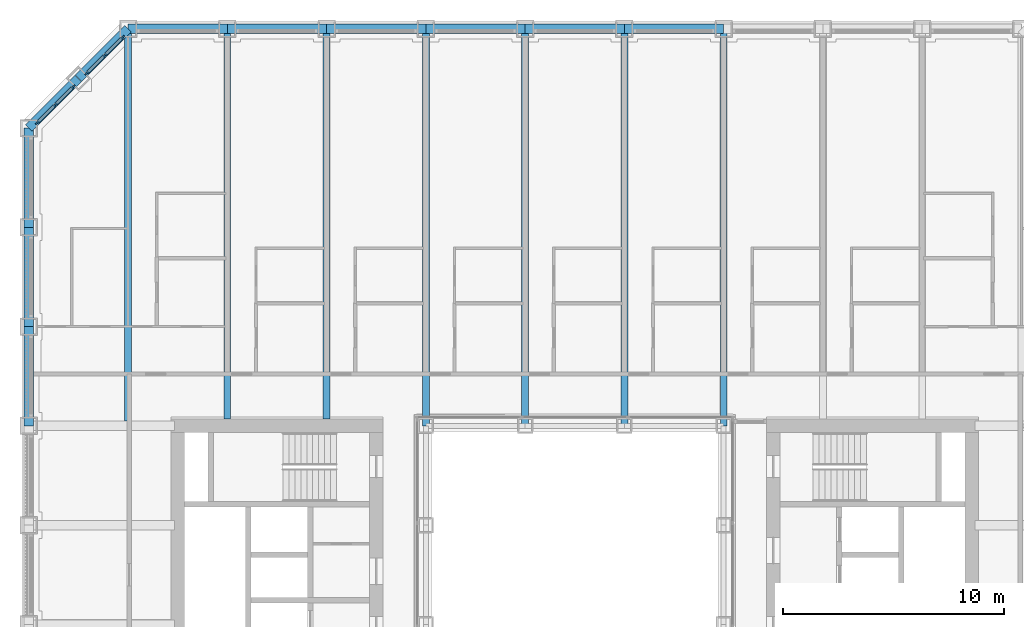
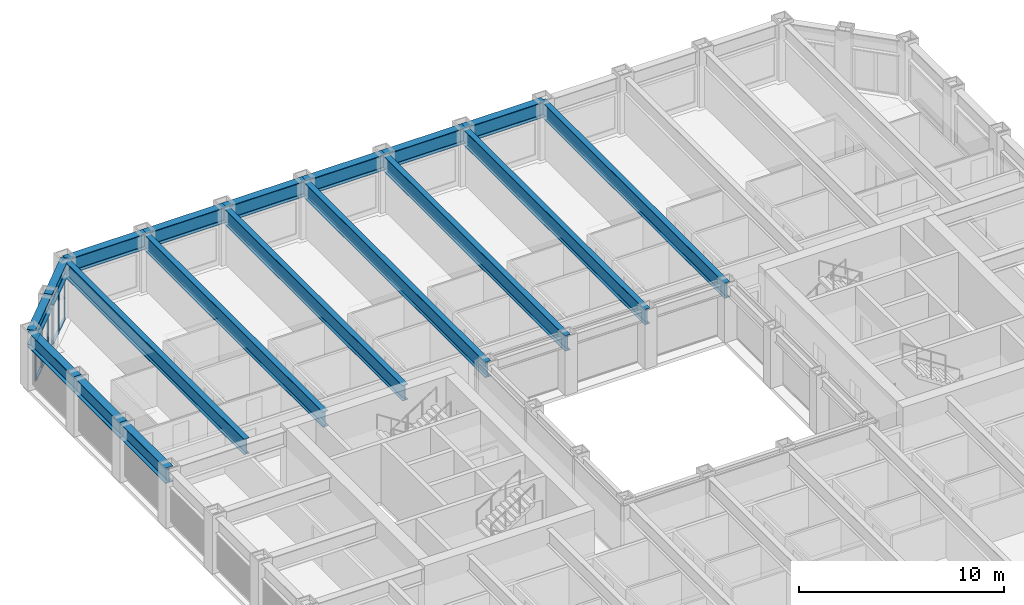
# One storey, part 6 of 21: 18 beams, 14 members, 2 elements without a shape of their own.
"""IFC4 building model written with IfcOpenShell, lengths in metres."""

import ifcopenshell
import ifcopenshell.guid

model = None  # the IFC model being written
_history = None  # IfcOwnerHistory: only IFC2X3 demands one
_inside = {}  # id of a spatial element -> (the spatial element, [elements in it])
_under = {}  # id of a project, library or spatial element -> (it, [spatial elements below it])
_declared = {}  # id of a project -> (the project, [libraries it declares])
_typed = {}  # id of a type object -> (the type object, [elements of that type])
_made_of = {}  # id of a material, layer set ... -> (it, [elements and type objects made of it])


def new_model(schema):
    """Start an empty IFC model of exactly this schema.

    Asked for "IFC4X3", IfcOpenShell would pick the latest addendum, in which some entities
    have other attributes; the version numbers below select the first issue.
    IFC2X3 requires an IfcOwnerHistory on every rooted entity: one is made here for all.
    """
    global model, _history
    if schema == "IFC4X3":
        model = ifcopenshell.file(schema_version=(4, 3, 0, 0))
    else:
        model = ifcopenshell.file(schema=schema)
    _inside.clear()
    _under.clear()
    _declared.clear()
    _typed.clear()
    _made_of.clear()
    _history = None
    if model.schema == "IFC2X3":
        org = make("IfcOrganization", Name="unknown")
        user = make(
            "IfcPersonAndOrganization",
            ThePerson=make("IfcPerson", FamilyName="unknown"),
            TheOrganization=org,
        )
        app = make(
            "IfcApplication",
            ApplicationDeveloper=org,
            Version="unknown",
            ApplicationFullName="unknown",
            ApplicationIdentifier="unknown",
        )
        _history = make(
            "IfcOwnerHistory",
            OwningUser=user,
            OwningApplication=app,
            ChangeAction="ADDED",
            CreationDate=0,
        )
    return model


def make(cls, **values):
    """One entity of the class cls with the attributes given. An attribute that is None is left unset."""
    return model.create_entity(
        cls, **{name: value for name, value in values.items() if value is not None}
    )


def rooted(cls, **values):
    """An entity with a GlobalId (a new one), such as an element, a storey or a relation."""
    return make(cls, GlobalId=ifcopenshell.guid.new(), OwnerHistory=_history, **values)


def si_unit(unit_type, name, prefix=None):
    """IfcSIUnit, for example si_unit("LENGTHUNIT", "METRE", prefix="MILLI")."""
    return make("IfcSIUnit", UnitType=unit_type, Prefix=prefix, Name=name)


def assignment(units):
    """IfcUnitAssignment: the units of a project."""
    return None if units is None else make("IfcUnitAssignment", Units=units)


def point(xyz):
    """IfcCartesianPoint."""
    return None if xyz is None else make("IfcCartesianPoint", Coordinates=xyz)


def direction(xyz):
    """IfcDirection."""
    return None if xyz is None else make("IfcDirection", DirectionRatios=xyz)


def frame(location, z_axis=None, x_axis=None):
    """IfcAxis2Placement3D, a coordinate frame: its origin and axes. An axis left out is left unset."""
    return make(
        "IfcAxis2Placement3D",
        Location=point(location),
        Axis=direction(z_axis),
        RefDirection=direction(x_axis),
    )


def frame_2d(location, x_axis=None):
    """IfcAxis2Placement2D, a coordinate frame in the plane: its origin and x axis."""
    return make(
        "IfcAxis2Placement2D", Location=point(location), RefDirection=direction(x_axis)
    )


def origin():
    """The frame at (0, 0, 0) with its axes left unset."""
    return frame((0.0, 0.0, 0.0))


def origin_2d():
    """The frame at (0, 0) in the plane with its x axis left unset."""
    return frame_2d((0.0, 0.0))


def place(relative_to, where):
    """IfcLocalPlacement: puts the frame where relative to a parent placement (None: the world)."""
    return make(
        "IfcLocalPlacement", PlacementRelTo=relative_to, RelativePlacement=where
    )


def context(
    kind, dimensions, precision=None, world=None, true_north=None, identifier=None
):
    """IfcGeometricRepresentationContext, for example the 3D "Model" context."""
    return make(
        "IfcGeometricRepresentationContext",
        ContextIdentifier=identifier,
        ContextType=kind,
        CoordinateSpaceDimension=dimensions,
        Precision=precision,
        WorldCoordinateSystem=world,
        TrueNorth=true_north,
    )


def subcontext(parent, identifier, kind, view, scale=None):
    """IfcGeometricRepresentationSubContext, for example "Body" below "Model"."""
    return make(
        "IfcGeometricRepresentationSubContext",
        ContextIdentifier=identifier,
        ContextType=kind,
        ParentContext=parent,
        TargetScale=scale,
        TargetView=view,
    )


def project(units=None, contexts=None):
    """IfcProject with its units and contexts."""
    return rooted(
        "IfcProject",
        Name="project",
        RepresentationContexts=contexts,
        UnitsInContext=assignment(units),
    )


def spatial(cls, under=None, at=None, **own):
    """A site, building, storey or space (cls), placed at a placement, below another one or the project."""
    s = rooted(cls, ObjectPlacement=at, **own)
    if under is not None:
        _under.setdefault(under.id(), (under, []))[1].append(s)
    return s


def profile(cls, at=None, kind="AREA", **sizes):
    """A parametric profile (cls). Its sizes go by their IFC names, for example OverallWidth=200.0."""
    return make(cls, ProfileType=kind, Position=at, **sizes)


def rectangle(**sizes):
    """IfcRectangleProfileDef."""
    return profile("IfcRectangleProfileDef", **sizes)


def i_section(**sizes):
    """IfcIShapeProfileDef."""
    return profile("IfcIShapeProfileDef", **sizes)


def extrude(swept, where, along, depth):
    """IfcExtrudedAreaSolid: the profile swept, set in the frame where, extruded along a direction by depth."""
    return make(
        "IfcExtrudedAreaSolid",
        SweptArea=swept,
        Position=where,
        ExtrudedDirection=direction(along),
        Depth=depth,
    )


def shape(context_of_items, identifier, shape_type, items):
    """IfcShapeRepresentation: the items that make up one representation, for example the "Body"."""
    return make(
        "IfcShapeRepresentation",
        ContextOfItems=context_of_items,
        RepresentationIdentifier=identifier,
        RepresentationType=shape_type,
        Items=items,
    )


def material(Name=None, Category=None):
    """IfcMaterial."""
    return make("IfcMaterial", Name=Name, Category=Category)


def material_profile(
    of_material, cross_section, Name=None, Category=None, Priority=None
):
    """IfcMaterialProfile: a cross section and its material."""
    return make(
        "IfcMaterialProfile",
        Name=Name,
        Material=of_material,
        Profile=cross_section,
        Priority=Priority,
        Category=Category,
    )


def profile_set(profiles, Name=None, composite=None):
    """IfcMaterialProfileSet."""
    return make(
        "IfcMaterialProfileSet",
        Name=Name,
        MaterialProfiles=profiles,
        CompositeProfile=composite,
    )


def made_of(thing, what):
    """Note that an element or type object is made of a material, layer set ...; save() writes the relation."""
    if what is not None:
        _made_of.setdefault(what.id(), (what, []))[1].append(thing)
    return thing


def type_object(cls, material=None, **own):
    """A type object (cls), such as IfcWallType, which elements share."""
    return made_of(rooted(cls, **own), material)


def element(
    cls,
    number,
    at=None,
    inside=None,
    cuts=None,
    type_object=None,
    material=None,
    context=None,
    identifier="Body",
    shape_type=None,
    held_by="IfcProductDefinitionShape",
    body=None,
    shapes=None,
    **own,
):
    """One element of the class cls, such as IfcWall. Its Tag is "e" and its number.

    at: its placement. inside: the storey or other place that contains it. cuts: it is an
    opening in that element (IfcRelVoidsElement). A single representation is given by context,
    identifier, shape_type and body (its items); several are given by shapes. held_by: the class
    of the entity that holds the representations. save() writes the other relations.
    """
    e = rooted(cls, Tag="e%d" % number, ObjectPlacement=at, **own)
    if body is not None:
        shapes = [shape(context, identifier, shape_type, body)]
    if shapes is not None:
        e.Representation = make(held_by, Representations=shapes)
    if inside is not None:
        _inside.setdefault(inside.id(), (inside, []))[1].append(e)
    if cuts is not None:
        rooted(
            "IfcRelVoidsElement", RelatingBuildingElement=cuts, RelatedOpeningElement=e
        )
    if type_object is not None:
        _typed.setdefault(type_object.id(), (type_object, []))[1].append(e)
    return made_of(e, material)


def aggregate(whole, parts):
    """IfcRelAggregates: a whole, such as a stair, and the parts it consists of."""
    return rooted("IfcRelAggregates", RelatingObject=whole, RelatedObjects=parts)


def save(model, path):
    """Write the relations noted so far, then the file.

    IfcRelAggregates (storeys below a building ...), IfcRelContainedInSpatialStructure (elements
    in a storey), IfcRelDefinesByType, IfcRelAssociatesMaterial and IfcRelDeclares: one each for
    every whole, place, type object, material and project.
    """
    for whole, parts in _under.values():
        aggregate(whole, parts)
    for where, things in _inside.values():
        rooted(
            "IfcRelContainedInSpatialStructure",
            RelatedElements=things,
            RelatingStructure=where,
        )
    for kind, things in _typed.values():
        rooted("IfcRelDefinesByType", RelatedObjects=things, RelatingType=kind)
    for what, things in _made_of.values():
        rooted("IfcRelAssociatesMaterial", RelatedObjects=things, RelatingMaterial=what)
    for by, libraries in _declared.values():
        rooted("IfcRelDeclares", RelatingContext=by, RelatedDefinitions=libraries)
    model.write(path)


model = new_model("IFC4")

# Units and contexts
model_context = context("Model", 3, precision=1e-05, world=origin(), true_north=direction((0.0, 1.0)))
body_context = subcontext(model_context, "Body", "Model", "MODEL_VIEW")
ifc_project = project(units=[si_unit("LENGTHUNIT", "METRE"), si_unit("AREAUNIT", "SQUARE_METRE"), si_unit("VOLUMEUNIT", "CUBIC_METRE"), si_unit("PLANEANGLEUNIT", "RADIAN"), si_unit("MASSUNIT", "GRAM", prefix="KILO")], contexts=[model_context])

# Site, building, storey
site_placement = place(None, origin())
site = spatial("IfcSite", under=ifc_project, at=site_placement, CompositionType="ELEMENT")
building_placement = place(site_placement, origin())
building = spatial("IfcBuilding", under=site, at=building_placement, Name="Msasa Ring Tower", CompositionType="ELEMENT")
storey_placement = place(building_placement, frame((0.0, 0.0, 33.5)))
storey = spatial("IfcBuildingStorey", under=building, at=storey_placement, Name="L07", CompositionType="ELEMENT", Elevation=33.5)

# Curtain wall, members
ifc_material_1 = material(Name="Aluminium curtain wall with clear glass", Category="aluminium")
curtain_wall_type = type_object("IfcCurtainWallType", Name="CW-C CHAMFER CORNER CURTAIN WALL", PredefinedType="NOTDEFINED", material=ifc_material_1)
curtain_wall_1_placement = place(storey_placement, origin())
curtain_wall_1 = element("IfcCurtainWall", 1, at=curtain_wall_1_placement, inside=storey, type_object=curtain_wall_type, Name="Chamfer corner curtain wall NW L07", PredefinedType="NOTDEFINED")
ifc_material_2 = material(Name="Aluminium mullion", Category="aluminium")
ifc_material_profile_1 = material_profile(ifc_material_2, rectangle(XDim=0.06494140625, YDim=0.179931640625, at=origin_2d()), Name="AL 65x180")
ifc_profile_set_1 = profile_set([ifc_material_profile_1], Name="Aluminium mullion")
member_type_1 = type_object("IfcMemberType", Name="CW-C MULLION 65x180", PredefinedType="MULLION", material=ifc_profile_set_1)
member_1_placement = place(storey_placement, frame((-22.73876953125, 22.119873046875, 0.0), z_axis=(0.0, 0.0, 1.0), x_axis=(0.707106781187, -0.707106781187, 0.0)))
member_1 = element("IfcMember", 2, at=member_1_placement, type_object=member_type_1, Name="CW-C mullion 1", PredefinedType="MULLION", context=body_context, shape_type="SweptSolid", body=[
    extrude(rectangle(XDim=0.06494140625, YDim=0.179931640625, at=origin_2d()), origin(), (0.0, 0.0, 1.0), 2.37890625),
])
member_2_placement = place(storey_placement, frame((-23.55419921875, 21.30419921875, 0.0), z_axis=(0.0, 0.0, 1.0), x_axis=(0.707106781187, -0.707106781187, 0.0)))
member_2 = element("IfcMember", 3, at=member_2_placement, type_object=member_type_1, Name="CW-C mullion 2", PredefinedType="MULLION", context=body_context, shape_type="SweptSolid", body=[
    extrude(rectangle(XDim=0.06494140625, YDim=0.179931640625, at=origin_2d()), origin(), (0.0, 0.0, 1.0), 2.37890625),
])
member_3_placement = place(storey_placement, frame((-24.369873046875, 20.48876953125, 0.0), z_axis=(0.0, 0.0, 1.0), x_axis=(0.707106781187, -0.707106781187, 0.0)))
member_3 = element("IfcMember", 4, at=member_3_placement, type_object=member_type_1, Name="CW-C mullion 3", PredefinedType="MULLION", context=body_context, shape_type="SweptSolid", body=[
    extrude(rectangle(XDim=0.06494140625, YDim=0.179931640625, at=origin_2d()), origin(), (0.0, 0.0, 1.0), 2.37890625),
])

curtain_wall_2_placement = place(storey_placement, origin())
curtain_wall_2 = element("IfcCurtainWall", 5, at=curtain_wall_2_placement, inside=storey, type_object=curtain_wall_type, Name="Chamfer corner curtain wall NW L07", PredefinedType="NOTDEFINED")
member_4_placement = place(storey_placement, frame((-20.48876953125, 24.369873046875, 0.0), z_axis=(0.0, 0.0, 1.0), x_axis=(0.707106781187, -0.707106781187, 0.0)))
member_4 = element("IfcMember", 6, at=member_4_placement, type_object=member_type_1, Name="CW-C mullion 1", PredefinedType="MULLION", context=body_context, shape_type="SweptSolid", body=[
    extrude(rectangle(XDim=0.06494140625, YDim=0.179931640625, at=origin_2d()), origin(), (0.0, 0.0, 1.0), 2.37890625),
])
member_5_placement = place(storey_placement, frame((-21.30419921875, 23.55419921875, 0.0), z_axis=(0.0, 0.0, 1.0), x_axis=(0.707106781187, -0.707106781187, 0.0)))
member_5 = element("IfcMember", 7, at=member_5_placement, type_object=member_type_1, Name="CW-C mullion 2", PredefinedType="MULLION", context=body_context, shape_type="SweptSolid", body=[
    extrude(rectangle(XDim=0.06494140625, YDim=0.179931640625, at=origin_2d()), origin(), (0.0, 0.0, 1.0), 2.37890625),
])
member_6_placement = place(storey_placement, frame((-22.119873046875, 22.73876953125, 0.0), z_axis=(0.0, 0.0, 1.0), x_axis=(0.707106781187, -0.707106781187, 0.0)))
member_6 = element("IfcMember", 8, at=member_6_placement, type_object=member_type_1, Name="CW-C mullion 3", PredefinedType="MULLION", context=body_context, shape_type="SweptSolid", body=[
    extrude(rectangle(XDim=0.06494140625, YDim=0.179931640625, at=origin_2d()), origin(), (0.0, 0.0, 1.0), 2.37890625),
])

# Member
ifc_material_3 = material(Name="Aluminium transom", Category="aluminium")
ifc_material_profile_2 = material_profile(ifc_material_3, rectangle(XDim=0.139892578125, YDim=0.06494140625, at=origin_2d()), Name="AL 65x140")
ifc_profile_set_2 = profile_set([ifc_material_profile_2], Name="Aluminium transom")
member_type_2 = type_object("IfcMemberType", Name="CW-C TRANSOM 65x140", PredefinedType="USERDEFINED", material=ifc_profile_set_2)
member_7_placement = place(storey_placement, frame((-22.76171875, 22.096923828125, 0.032470703125), z_axis=(-0.707106781187, -0.707106781187, 0.0), x_axis=(0.707106781187, -0.707106781187, 0.0)))
member_7 = element("IfcMember", 9, at=member_7_placement, type_object=member_type_2, Name="CW-C transom 1.1", ObjectType="TRANSOM", PredefinedType="USERDEFINED", context=body_context, shape_type="SweptSolid", body=[
    extrude(rectangle(XDim=0.139892578125, YDim=0.06494140625, at=origin_2d()), origin(), (0.0, 0.0, 1.0), 1.08837890625),
])

member_8_placement = place(storey_placement, frame((-22.76171875, 22.096923828125, 2.346435546875), z_axis=(-0.707106781187, -0.707106781187, 0.0), x_axis=(0.707106781187, -0.707106781187, 0.0)))
member_8 = element("IfcMember", 10, at=member_8_placement, type_object=member_type_2, Name="CW-C transom 1.2", ObjectType="TRANSOM", PredefinedType="USERDEFINED", context=body_context, shape_type="SweptSolid", body=[
    extrude(rectangle(XDim=0.139892578125, YDim=0.06494140625, at=origin_2d()), origin(), (0.0, 0.0, 1.0), 1.08837890625),
])

member_9_placement = place(storey_placement, frame((-23.577392578125, 21.28125, 0.032470703125), z_axis=(-0.707106781187, -0.707106781187, 0.0), x_axis=(0.707106781187, -0.707106781187, 0.0)))
member_9 = element("IfcMember", 11, at=member_9_placement, type_object=member_type_2, Name="CW-C transom 2.1", ObjectType="TRANSOM", PredefinedType="USERDEFINED", context=body_context, shape_type="SweptSolid", body=[
    extrude(rectangle(XDim=0.139892578125, YDim=0.06494140625, at=origin_2d()), origin(), (0.0, 0.0, 1.0), 1.08837890625),
])

member_10_placement = place(storey_placement, frame((-23.577392578125, 21.28125, 2.346435546875), z_axis=(-0.707106781187, -0.707106781187, 0.0), x_axis=(0.707106781187, -0.707106781187, 0.0)))
member_10 = element("IfcMember", 12, at=member_10_placement, type_object=member_type_2, Name="CW-C transom 2.2", ObjectType="TRANSOM", PredefinedType="USERDEFINED", context=body_context, shape_type="SweptSolid", body=[
    extrude(rectangle(XDim=0.139892578125, YDim=0.06494140625, at=origin_2d()), origin(), (0.0, 0.0, 1.0), 1.08837890625),
])

aggregate(curtain_wall_1, [member_1, member_2, member_3, member_7, member_8, member_9, member_10])

member_11_placement = place(storey_placement, frame((-20.51171875, 24.346923828125, 0.032470703125), z_axis=(-0.707106781187, -0.707106781187, 0.0), x_axis=(0.707106781187, -0.707106781187, 0.0)))
member_11 = element("IfcMember", 13, at=member_11_placement, type_object=member_type_2, Name="CW-C transom 1.1", ObjectType="TRANSOM", PredefinedType="USERDEFINED", context=body_context, shape_type="SweptSolid", body=[
    extrude(rectangle(XDim=0.139892578125, YDim=0.06494140625, at=origin_2d()), origin(), (0.0, 0.0, 1.0), 1.08837890625),
])

member_12_placement = place(storey_placement, frame((-20.51171875, 24.346923828125, 2.346435546875), z_axis=(-0.707106781187, -0.707106781187, 0.0), x_axis=(0.707106781187, -0.707106781187, 0.0)))
member_12 = element("IfcMember", 14, at=member_12_placement, type_object=member_type_2, Name="CW-C transom 1.2", ObjectType="TRANSOM", PredefinedType="USERDEFINED", context=body_context, shape_type="SweptSolid", body=[
    extrude(rectangle(XDim=0.139892578125, YDim=0.06494140625, at=origin_2d()), origin(), (0.0, 0.0, 1.0), 1.08837890625),
])

member_13_placement = place(storey_placement, frame((-21.327392578125, 23.53125, 0.032470703125), z_axis=(-0.707106781187, -0.707106781187, 0.0), x_axis=(0.707106781187, -0.707106781187, 0.0)))
member_13 = element("IfcMember", 15, at=member_13_placement, type_object=member_type_2, Name="CW-C transom 2.1", ObjectType="TRANSOM", PredefinedType="USERDEFINED", context=body_context, shape_type="SweptSolid", body=[
    extrude(rectangle(XDim=0.139892578125, YDim=0.06494140625, at=origin_2d()), origin(), (0.0, 0.0, 1.0), 1.08837890625),
])

member_14_placement = place(storey_placement, frame((-21.327392578125, 23.53125, 2.346435546875), z_axis=(-0.707106781187, -0.707106781187, 0.0), x_axis=(0.707106781187, -0.707106781187, 0.0)))
member_14 = element("IfcMember", 16, at=member_14_placement, type_object=member_type_2, Name="CW-C transom 2.2", ObjectType="TRANSOM", PredefinedType="USERDEFINED", context=body_context, shape_type="SweptSolid", body=[
    extrude(rectangle(XDim=0.139892578125, YDim=0.06494140625, at=origin_2d()), origin(), (0.0, 0.0, 1.0), 1.08837890625),
])

aggregate(curtain_wall_2, [member_4, member_5, member_6, member_11, member_12, member_13, member_14])

# Beams
ifc_material_4 = material(Name="Steel S355", Category="steel")
ifc_material_profile_3 = material_profile(ifc_material_4, i_section(OverallWidth=0.3076171875, OverallDepth=0.926513671875, WebThickness=0.01953125, FlangeThickness=0.031982421875, FilletRadius=0.01904296875, at=origin_2d()), Name="UB 914x305x289")
ifc_profile_set_3 = profile_set([ifc_material_profile_3], Name="Steel S355")
beam_type_1 = type_object("IfcBeamType", Name="FB3 UB 914x305x289", PredefinedType="BEAM", material=ifc_profile_set_3)
beam_placement = place(storey_placement, frame((-20.25, 24.75, 2.836669921875), z_axis=(0.0, -1.0, 0.0), x_axis=(1.0, 0.0, 0.0)))
element("IfcBeam", 17, at=beam_placement, inside=storey, type_object=beam_type_1, Name="Floor beam N-20.25 under L08", PredefinedType="BEAM", context=body_context, shape_type="SweptSolid", body=[
    extrude(i_section(OverallWidth=0.3076171875, OverallDepth=0.926513671875, WebThickness=0.01953125, FlangeThickness=0.031982421875, FilletRadius=0.01904296875, at=origin_2d()), origin(), (0.0, 0.0, 1.0), 17.789794921875),
])
for number, where, z_axis, x_axis, name in (
    (18, (-15.75, 24.75, 2.836669921875), (0.0, -1.0, 0.0), (1.0, 0.0, 0.0), "Floor beam N-15.75 under L08"),
    (19, (-11.25, 24.75, 2.836669921875), (0.0, -1.0, 0.0), (1.0, 0.0, 0.0), "Floor beam N-11.25 under L08"),
):
    element("IfcBeam", number, at=place(storey_placement, frame(where, z_axis=z_axis, x_axis=x_axis)), inside=storey, type_object=beam_type_1, Name=name, PredefinedType="BEAM", context=body_context, shape_type="SweptSolid", body=[
        extrude(i_section(OverallWidth=0.3076171875, OverallDepth=0.926513671875, WebThickness=0.01953125, FlangeThickness=0.031982421875, FilletRadius=0.01904296875, at=origin_2d()), origin(), (0.0, 0.0, 1.0), 17.699951171875),
    ])
for number, where, z_axis, x_axis, name in (
    (20, (-6.75, 24.75, 2.836669921875), (0.0, -1.0, 0.0), (1.0, 0.0, 0.0), "Floor beam N-6.75 under L08"),
    (21, (-2.25, 24.75, 2.836669921875), (0.0, -1.0, 0.0), (1.0, 0.0, 0.0), "Floor beam N-2.25 under L08"),
    (22, (2.25, 24.75, 2.836669921875), (0.0, -1.0, 0.0), (1.0, 0.0, 0.0), "Floor beam N+2.25 under L08"),
    (23, (6.75, 24.75, 2.836669921875), (0.0, -1.0, 0.0), (1.0, 0.0, 0.0), "Floor beam N+6.75 under L08"),
):
    element("IfcBeam", number, at=place(storey_placement, frame(where, z_axis=z_axis, x_axis=x_axis)), inside=storey, type_object=beam_type_1, Name=name, PredefinedType="BEAM", context=body_context, shape_type="SweptSolid", body=[
        extrude(i_section(OverallWidth=0.3076171875, OverallDepth=0.926513671875, WebThickness=0.01953125, FlangeThickness=0.031982421875, FilletRadius=0.01904296875, at=origin_2d()), origin(), (0.0, 0.0, 1.0), 18.0),
    ])
ifc_material_5 = material(Name="Steel S355", Category="steel")
ifc_material_profile_4 = material_profile(ifc_material_5, i_section(OverallWidth=0.42041015625, OverallDepth=0.9208984375, WebThickness=0.021484375, FlangeThickness=0.03662109375, FilletRadius=0.024169921875, at=origin_2d()), Name="UB 914x419x388")
ifc_profile_set_4 = profile_set([ifc_material_profile_4], Name="Steel S355")
beam_type_2 = type_object("IfcBeamType", Name="SB1 UB 914x419x388", PredefinedType="SPANDREL", material=ifc_profile_set_4)
for number, where, z_axis, x_axis, name in (
    (24, (6.75, 24.75, 2.839599609375), (-1.0, 0.0, 0.0), (0.0, -1.0, 0.0), "Spandrel N+6.75 to N+2.25 under L08"),
    (25, (2.25, 24.75, 2.839599609375), (-1.0, 0.0, 0.0), (0.0, -1.0, 0.0), "Spandrel N+2.25 to N-2.25 under L08"),
    (26, (-2.25, 24.75, 2.839599609375), (-1.0, 0.0, 0.0), (0.0, -1.0, 0.0), "Spandrel N-2.25 to N-6.75 under L08"),
    (27, (-6.75, 24.75, 2.839599609375), (-1.0, 0.0, 0.0), (0.0, -1.0, 0.0), "Spandrel N-6.75 to N-11.25 under L08"),
    (28, (-11.25, 24.75, 2.839599609375), (-1.0, 0.0, 0.0), (0.0, -1.0, 0.0), "Spandrel N-11.25 to N-15.75 under L08"),
    (29, (-15.75, 24.75, 2.839599609375), (-1.0, 0.0, 0.0), (0.0, -1.0, 0.0), "Spandrel N-15.75 to N-20.25 under L08"),
):
    element("IfcBeam", number, at=place(storey_placement, frame(where, z_axis=z_axis, x_axis=x_axis)), inside=storey, type_object=beam_type_2, Name=name, PredefinedType="SPANDREL", context=body_context, shape_type="SweptSolid", body=[
        extrude(i_section(OverallWidth=0.42041015625, OverallDepth=0.9208984375, WebThickness=0.021484375, FlangeThickness=0.03662109375, FilletRadius=0.024169921875, at=origin_2d()), origin(), (0.0, 0.0, 1.0), 4.5),
    ])
for number, where, z_axis, x_axis, name in (
    (30, (-20.25, 24.75, 2.839599609375), (-0.707106781187, -0.707106781187, 0.0), (0.707106781187, -0.707106781187, 0.0), "Spandrel N-20.25 to NW under L08"),
    (31, (-22.5, 22.5, 2.839599609375), (-0.707106781187, -0.707106781187, 0.0), (0.707106781187, -0.707106781187, 0.0), "Spandrel NW to W+20.25 under L08"),
):
    element("IfcBeam", number, at=place(storey_placement, frame(where, z_axis=z_axis, x_axis=x_axis)), inside=storey, type_object=beam_type_2, Name=name, PredefinedType="SPANDREL", context=body_context, shape_type="SweptSolid", body=[
        extrude(i_section(OverallWidth=0.42041015625, OverallDepth=0.9208984375, WebThickness=0.021484375, FlangeThickness=0.03662109375, FilletRadius=0.024169921875, at=origin_2d()), origin(), (0.0, 0.0, 1.0), 3.181884765625),
    ])
for number, where, z_axis, x_axis, name in (
    (32, (-24.75, 20.25, 2.839599609375), (0.0, -1.0, 0.0), (1.0, 0.0, 0.0), "Spandrel W+20.25 to W+15.75 under L08"),
    (33, (-24.75, 15.75, 2.839599609375), (0.0, -1.0, 0.0), (1.0, 0.0, 0.0), "Spandrel W+15.75 to W+11.25 under L08"),
    (34, (-24.75, 11.25, 2.839599609375), (0.0, -1.0, 0.0), (1.0, 0.0, 0.0), "Spandrel W+11.25 to W+6.75 under L08"),
):
    element("IfcBeam", number, at=place(storey_placement, frame(where, z_axis=z_axis, x_axis=x_axis)), inside=storey, type_object=beam_type_2, Name=name, PredefinedType="SPANDREL", context=body_context, shape_type="SweptSolid", body=[
        extrude(i_section(OverallWidth=0.42041015625, OverallDepth=0.9208984375, WebThickness=0.021484375, FlangeThickness=0.03662109375, FilletRadius=0.024169921875, at=origin_2d()), origin(), (0.0, 0.0, 1.0), 4.5),
    ])

save(model, "model.ifc")
